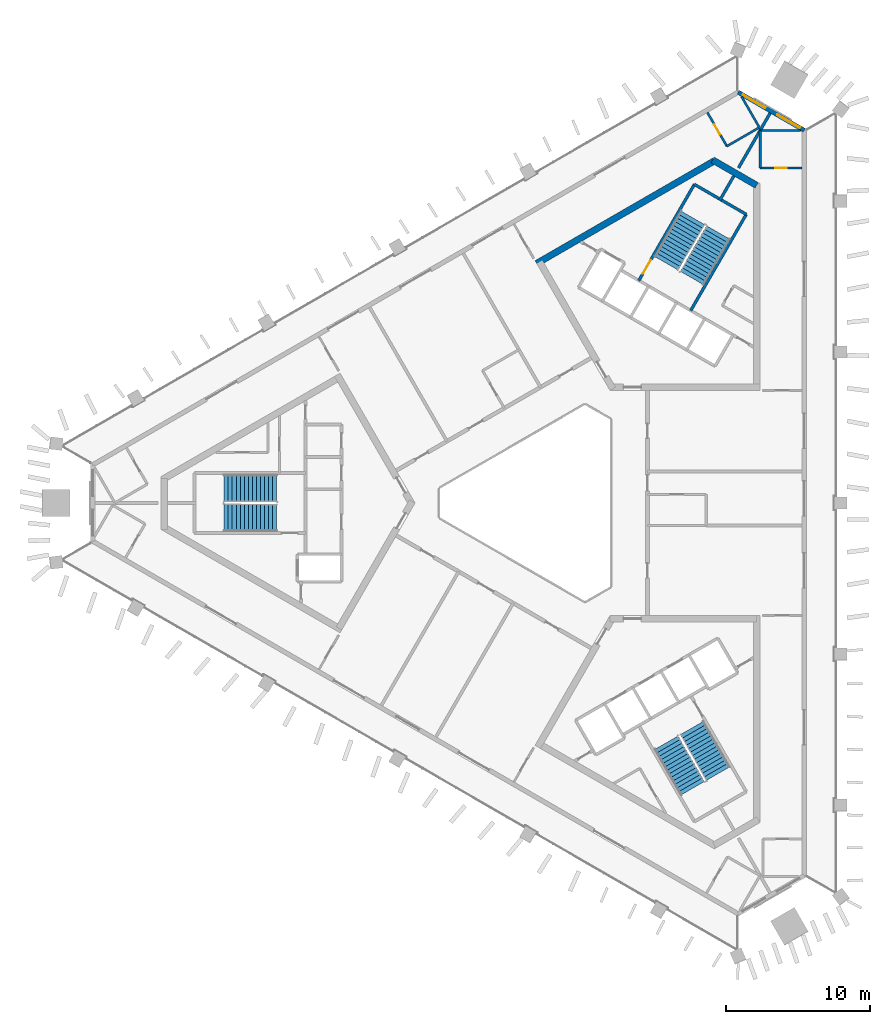
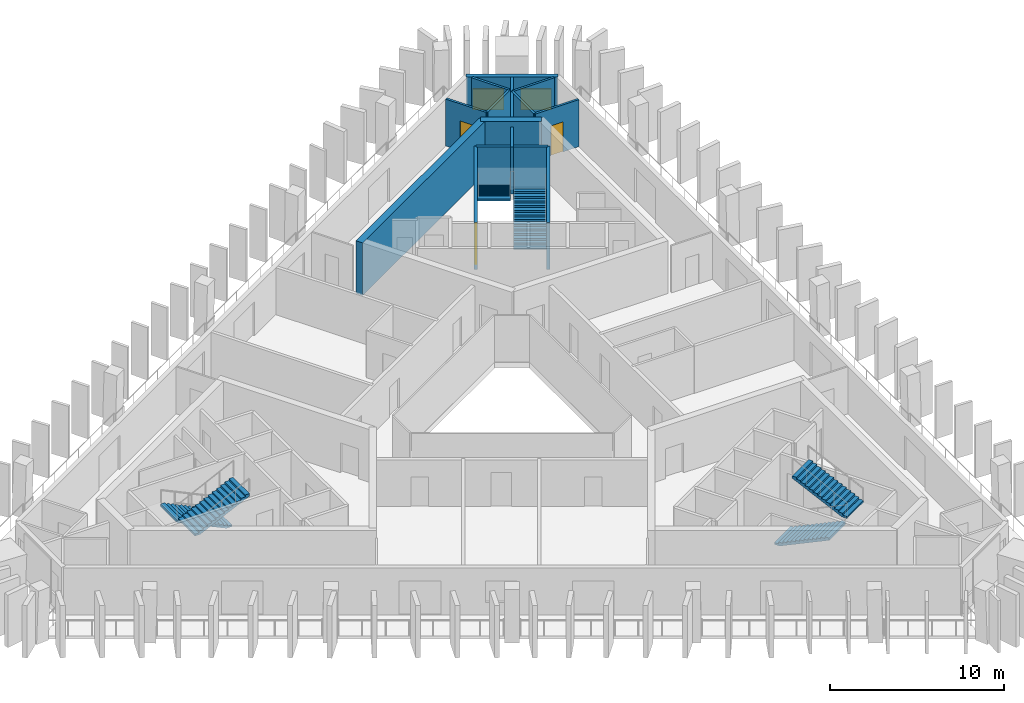
# One storey, part 6 of 9: 14 walls, 6 stair flights, 3 doors, 2 windows, 5 openings, 3 elements without a shape of their own.
"""IFC4 building model written with IfcOpenShell, lengths in metres."""

from ifc_helpers import new_model, si_unit, direction, frame, frame_2d, origin, place, context, subcontext, project, spatial, polyline, rectangle, outline, extrude, material, layer, layer_set, type_object, element, fill, aggregate, save


model = new_model("IFC4")

# Units and contexts
model_context = context("Model", 3, precision=1e-05, world=origin(), true_north=direction((0.0, 1.0)))
body_context = subcontext(model_context, "Body", "Model", "MODEL_VIEW")
ifc_project = project(units=[si_unit("LENGTHUNIT", "METRE"), si_unit("AREAUNIT", "SQUARE_METRE"), si_unit("VOLUMEUNIT", "CUBIC_METRE"), si_unit("PLANEANGLEUNIT", "RADIAN"), si_unit("MASSUNIT", "GRAM", prefix="KILO")], contexts=[model_context])

# Site, building, storey
site_placement = place(None, origin())
site = spatial("IfcSite", under=ifc_project, at=site_placement, CompositionType="ELEMENT")
building_placement = place(site_placement, origin())
building = spatial("IfcBuilding", under=site, at=building_placement, Name="Jabali Bay Hotel Tower and Convention Centre", CompositionType="ELEMENT")
storey_placement = place(building_placement, frame((0.0, 0.0, 205.800048828125)))
storey = spatial("IfcBuildingStorey", under=building, at=storey_placement, Name="L50", CompositionType="ELEMENT", Elevation=205.800048828125)

# Walls
ifc_material_1 = material(Name="Concrete C40", Category="concrete")
ifc_layer_1 = layer(ifc_material_1, 0.199951171875)
ifc_layer_set_1 = layer_set([ifc_layer_1], Name="Concrete C40")
wall_type_1 = type_object("IfcWallType", Name="Core partition wall 200", PredefinedType="PARTITIONING", material=ifc_layer_set_1)
wall_1_placement = place(storey_placement, frame((87.090087890625, 100.9404296875, 0.0), z_axis=(0.0, 0.0, 1.0), x_axis=(0.500011643316, 0.866018681408, 0.0)))
element("IfcWall", 1, at=wall_1_placement, inside=storey, type_object=wall_type_1, Name="Core wall 1.5 L50", PredefinedType="PARTITIONING", context=body_context, shape_type="SweptSolid", body=[
    extrude(rectangle(XDim=1.97314453125, YDim=0.199951171875, at=frame_2d((0.986572265625, 0.0))), origin(), (0.0, 0.0, 1.0), 3.300048828125),
])
ifc_layer_2 = layer(ifc_material_1, 0.199951171875)
ifc_layer_set_2 = layer_set([ifc_layer_2], Name="Concrete C40")
wall_type_2 = type_object("IfcWallType", Name="Core stair wall 200", PredefinedType="SOLIDWALL", material=ifc_layer_set_2)
wall_2_placement = place(storey_placement, frame((85.0869140625, 93.3212890625, 0.0), z_axis=(0.0, 0.0, 1.0), x_axis=(0.500019787375, 0.866013979237, 0.0)))
element("IfcWall", 2, at=wall_2_placement, inside=storey, type_object=wall_type_2, Name="Core wall 1.3 L50", PredefinedType="SOLIDWALL", context=body_context, shape_type="SweptSolid", body=[
    extrude(rectangle(XDim=7.699951171875, YDim=0.199951171875, at=frame_2d((3.85009765625, 0.0))), origin(), (0.0, 0.0, 1.0), 3.300048828125),
])

# Wall, opening, door
wall_3_placement = place(storey_placement, frame((81.492919921875, 95.396240234375, 0.0), z_axis=(0.0, 0.0, 1.0), x_axis=(0.500006057782, 0.866021906294, 0.0)))
wall_3 = element("IfcWall", 3, at=wall_3_placement, inside=storey, type_object=wall_type_2, Name="Core wall 1.7 L50", PredefinedType="SOLIDWALL", context=body_context, shape_type="SweptSolid", body=[
    extrude(rectangle(XDim=7.7001953125, YDim=0.199951171875, at=frame_2d((3.85009765625, 0.0))), origin(), (0.0, 0.0, 1.0), 3.300048828125),
])
opening_1_placement = place(wall_3_placement, frame((0.550048828125, 0.0, 0.0)))
opening_1 = element("IfcOpeningElement", 4, at=opening_1_placement, cuts=wall_3, Name="Opening D1087", PredefinedType="OPENING", context=body_context, shape_type="SweptSolid", body=[
    extrude(rectangle(XDim=1.10009765625, YDim=2.10009765625, at=frame_2d((0.550048828125, 1.050048828125))), frame((0.0, 0.1103515625, 0.0), z_axis=(0.0, -1.0, 0.0), x_axis=(1.0, 0.0, 0.0)), (0.0, 0.0, 1.0), 0.220947265625),
])
ifc_material_2 = material(Name="Fire-rated steel door", Category="steel")
door_type_1 = type_object("IfcDoorType", Name="Stair fire door 1100 x 2100", OperationType="NOTDEFINED", PredefinedType="NOTDEFINED", material=ifc_material_2)
door_1_placement = place(opening_1_placement, origin())
door_1 = element("IfcDoor", 5, at=door_1_placement, inside=storey, type_object=door_type_1, Name="Stair fire door D1087", OperationType="SINGLE_SWING_RIGHT", OverallHeight=2.10009765625, OverallWidth=1.10009765625, PredefinedType="NOTDEFINED", context=body_context, shape_type="SweptSolid", body=[
    extrude(rectangle(XDim=1.10009765625, YDim=2.10009765625, at=frame_2d((0.550048828125, 1.050048828125))), frame((0.0, 0.02490234375, 0.0), z_axis=(0.0, -1.0, 0.0), x_axis=(1.0, 0.0, 0.0)), (0.0, 0.0, 1.0), 0.050048828125),
])
fill(opening_1, door_1)

# Walls
wall_4_placement = place(storey_placement, frame((88.93701171875, 99.989501953125, 0.0), z_axis=(0.0, 0.0, 1.0), x_axis=(-0.866004344652, 0.500036473714, 0.0)))
element("IfcWall", 6, at=wall_4_placement, inside=storey, type_object=wall_type_2, Name="Core wall 1.16 L50", PredefinedType="SOLIDWALL", context=body_context, shape_type="SweptSolid", body=[
    extrude(rectangle(XDim=4.150146484375, YDim=0.199951171875, at=frame_2d((2.0751953125, 0.0))), origin(), (0.0, 0.0, 1.0), 3.300048828125),
])
ifc_material_3 = material(Name="Concrete C60", Category="concrete")
ifc_layer_3 = layer(ifc_material_3, 0.449951171875)
ifc_layer_set_3 = layer_set([ifc_layer_3], Name="Concrete C60")
wall_type_3 = type_object("IfcWallType", Name="Core wall 450", PredefinedType="SHEAR", material=ifc_layer_set_3)
wall_5_placement = place(storey_placement, frame((89.655029296875, 101.997802734375, 0.0), z_axis=(0.0, 0.0, 1.0), x_axis=(-0.866042179588, 0.49997094233, 0.0)))
element("IfcWall", 7, at=wall_5_placement, inside=storey, type_object=wall_type_3, Name="Core wall 2.3 L50", PredefinedType="SHEAR", context=body_context, shape_type="SweptSolid", body=[
    extrude(rectangle(XDim=3.515380859375, YDim=0.449951171875, at=frame_2d((1.7578125, 0.0))), origin(), (0.0, 0.0, 1.0), 3.699951171875),
])
wall_6_placement = place(storey_placement, frame((86.72314453125, 103.6904296875, 0.0), z_axis=(0.0, 0.0, 1.0), x_axis=(-0.866022713978, -0.500004658852, 0.0)))
element("IfcWall", 8, at=wall_6_placement, inside=storey, type_object=wall_type_3, Name="Core wall 2.4 L50", PredefinedType="SHEAR", context=body_context, shape_type="SweptSolid", body=[
    extrude(rectangle(XDim=14.203369140625, YDim=0.449951171875, at=frame_2d((7.1015625, 0.0))), origin(), (0.0, 0.0, 1.0), 3.699951171875),
])

# Wall, openings, windows
ifc_layer_4 = layer(ifc_material_1, 0.300048828125)
ifc_layer_set_4 = layer_set([ifc_layer_4], Name="Concrete C40")
wall_type_4 = type_object("IfcWallType", Name="External wall 300", PredefinedType="SOLIDWALL", material=ifc_layer_set_4)
wall_7_placement = place(storey_placement, frame((88.377197265625, 108.451171875, 0.0), z_axis=(0.0, 0.0, 1.0), x_axis=(0.866015446554, -0.500017246033, 0.0)))
wall_7 = element("IfcWall", 9, at=wall_7_placement, inside=storey, type_object=wall_type_4, Name="External wall north-east chamfer L50", PredefinedType="SOLIDWALL", context=body_context, shape_type="SweptSolid", body=[
    extrude(rectangle(XDim=5.281005859375, YDim=0.300048828125, at=frame_2d((2.640625, 0.0))), origin(), (0.0, 0.0, 1.0), 3.300048828125),
])
opening_2_placement = place(wall_7_placement, frame((3.125732421875, 0.0, 0.89990234375)))
opening_2 = element("IfcOpeningElement", 10, at=opening_2_placement, cuts=wall_7, Name="Opening W1", PredefinedType="OPENING", context=body_context, shape_type="SweptSolid", body=[
    extrude(rectangle(XDim=1.800048828125, YDim=1.5, at=frame_2d((0.89990234375, 0.75))), frame((0.0, 0.16064453125, 0.0), z_axis=(0.0, -1.0, 0.0), x_axis=(1.0, 0.0, 0.0)), (0.0, 0.0, 1.0), 0.321044921875),
])
opening_3_placement = place(wall_7_placement, frame((0.3720703125, 0.0, 0.89990234375)))
opening_3 = element("IfcOpeningElement", 11, at=opening_3_placement, cuts=wall_7, Name="Opening W1", PredefinedType="OPENING", context=body_context, shape_type="SweptSolid", body=[
    extrude(rectangle(XDim=1.800048828125, YDim=1.5, at=frame_2d((0.89990234375, 0.75))), frame((0.0, 0.16064453125, 0.0), z_axis=(0.0, -1.0, 0.0), x_axis=(1.0, 0.0, 0.0)), (0.0, 0.0, 1.0), 0.321044921875),
])
ifc_material_4 = material(Name="Glass", Category="glass")
window_type = type_object("IfcWindowType", Name="Window 1800 x 1500", PartitioningType="SINGLE_PANEL", PredefinedType="WINDOW", material=ifc_material_4)
window_1_placement = place(opening_2_placement, origin())
window_1 = element("IfcWindow", 12, at=window_1_placement, inside=storey, type_object=window_type, Name="Window 5003", OverallHeight=1.5, OverallWidth=1.800048828125, PartitioningType="SINGLE_PANEL", PredefinedType="WINDOW", context=body_context, shape_type="SweptSolid", body=[
    extrude(rectangle(XDim=1.800048828125, YDim=1.5, at=frame_2d((0.89990234375, 0.75))), frame((0.0, 0.030029296875, 0.0), z_axis=(0.0, -1.0, 0.0), x_axis=(1.0, 0.0, 0.0)), (0.0, 0.0, 1.0), 0.06005859375),
])
fill(opening_2, window_1)
window_2_placement = place(opening_3_placement, origin())
window_2 = element("IfcWindow", 13, at=window_2_placement, inside=storey, type_object=window_type, Name="Window 5004", OverallHeight=1.5, OverallWidth=1.800048828125, PartitioningType="SINGLE_PANEL", PredefinedType="WINDOW", context=body_context, shape_type="SweptSolid", body=[
    extrude(rectangle(XDim=1.800048828125, YDim=1.5, at=frame_2d((0.89990234375, 0.75))), frame((0.0, 0.030029296875, 0.0), z_axis=(0.0, -1.0, 0.0), x_axis=(1.0, 0.0, 0.0)), (0.0, 0.0, 1.0), 0.06005859375),
])
fill(opening_3, window_2)

# Wall, opening, door
ifc_material_5 = material(Name="Plasterboard on steel stud", Category="steel")
ifc_layer_5 = layer(ifc_material_5, 0.14990234375)
ifc_layer_set_5 = layer_set([ifc_layer_5], Name="Plasterboard on steel stud")
wall_type_5 = type_object("IfcWallType", Name="Partition 150 wet", PredefinedType="PARTITIONING", material=ifc_layer_set_5)
wall_8_placement = place(storey_placement, frame((92.801513671875, 103.1943359375, 0.0), z_axis=(0.0, 0.0, 1.0), x_axis=(-1.0, 0.0, 0.0)))
wall_8 = element("IfcWall", 14, at=wall_8_placement, inside=storey, type_object=wall_type_5, Name="Partition P03 L50 012", PredefinedType="PARTITIONING", context=body_context, shape_type="SweptSolid", body=[
    extrude(rectangle(XDim=2.89990234375, YDim=0.14990234375, at=frame_2d((1.449951171875, 0.0))), origin(), (0.0, 0.0, 1.0), 3.300048828125),
])
opening_4_placement = place(wall_8_placement, frame((1.050048828125, 0.0, 0.0)))
opening_4 = element("IfcOpeningElement", 15, at=opening_4_placement, cuts=wall_8, Name="Opening 5008", PredefinedType="OPENING", context=body_context, shape_type="SweptSolid", body=[
    extrude(rectangle(XDim=0.800048828125, YDim=2.10009765625, at=frame_2d((0.39990234375, 1.050048828125))), frame((0.0, 0.08544921875, 0.0), z_axis=(0.0, -1.0, 0.0), x_axis=(1.0, 0.0, 0.0)), (0.0, 0.0, 1.0), 0.1708984375),
])
ifc_material_6 = material(Name="Timber", Category="wood")
door_type_2 = type_object("IfcDoorType", Name="En-suite door 800 x 2100", OperationType="NOTDEFINED", PredefinedType="NOTDEFINED", material=ifc_material_6)
door_2_placement = place(opening_4_placement, origin())
door_2 = element("IfcDoor", 16, at=door_2_placement, inside=storey, type_object=door_type_2, Name="Door 5008", OperationType="SINGLE_SWING_LEFT", OverallHeight=2.10009765625, OverallWidth=0.800048828125, PredefinedType="NOTDEFINED", context=body_context, shape_type="SweptSolid", body=[
    extrude(rectangle(XDim=0.800048828125, YDim=2.10009765625, at=frame_2d((0.39990234375, 1.050048828125))), frame((0.0, 0.02490234375, 0.0), z_axis=(0.0, -1.0, 0.0), x_axis=(1.0, 0.0, 0.0)), (0.0, 0.0, 1.0), 0.050048828125),
])
fill(opening_4, door_2)

# Walls
wall_9_placement = place(storey_placement, frame((89.901611328125, 103.1943359375, 0.0), z_axis=(0.0, 0.0, 1.0), x_axis=(0.0, 1.0, 0.0)))
element("IfcWall", 17, at=wall_9_placement, inside=storey, type_object=wall_type_5, Name="Partition P03 L50 013", PredefinedType="PARTITIONING", context=body_context, shape_type="SweptSolid", body=[
    extrude(rectangle(XDim=2.599853515625, YDim=0.14990234375, at=frame_2d((1.2998046875, 0.0))), origin(), (0.0, 0.0, 1.0), 3.300048828125),
])
wall_10_placement = place(storey_placement, frame((89.901611328125, 105.794189453125, 0.0), z_axis=(0.0, 0.0, 1.0), x_axis=(1.0, 0.0, 0.0)))
element("IfcWall", 18, at=wall_10_placement, inside=storey, type_object=wall_type_5, Name="Partition P03 L50 014", PredefinedType="PARTITIONING", context=body_context, shape_type="SweptSolid", body=[
    extrude(rectangle(XDim=2.779541015625, YDim=0.14990234375, at=frame_2d((1.3896484375, 0.0))), origin(), (0.0, 0.0, 1.0), 3.300048828125),
])
wall_11_placement = place(storey_placement, frame((88.613037109375, 108.142822265625, 0.0), z_axis=(0.0, 0.0, 1.0), x_axis=(0.500028332303, -0.866009045504, 0.0)))
element("IfcWall", 19, at=wall_11_placement, inside=storey, type_object=wall_type_5, Name="Partition P03 L50 018", PredefinedType="PARTITIONING", context=body_context, shape_type="SweptSolid", body=[
    extrude(rectangle(XDim=2.464111328125, YDim=0.14990234375, at=frame_2d((1.23193359375, 0.0))), origin(), (0.0, 0.0, 1.0), 3.300048828125),
])
wall_12_placement = place(storey_placement, frame((89.84521484375, 106.0087890625, 0.0), z_axis=(0.0, 0.0, 1.0), x_axis=(-0.865997922154, -0.500047596559, 0.0)))
element("IfcWall", 20, at=wall_12_placement, inside=storey, type_object=wall_type_5, Name="Partition P03 L50 019", PredefinedType="PARTITIONING", context=body_context, shape_type="SweptSolid", body=[
    extrude(rectangle(XDim=2.599853515625, YDim=0.14990234375, at=frame_2d((1.2998046875, 0.0))), origin(), (0.0, 0.0, 1.0), 3.300048828125),
])

# Wall, opening, door
wall_13_placement = place(storey_placement, frame((87.59375, 104.708740234375, 0.0), z_axis=(0.0, 0.0, 1.0), x_axis=(-0.500077242023, 0.865980803489, 0.0)))
wall_13 = element("IfcWall", 21, at=wall_13_placement, inside=storey, type_object=wall_type_5, Name="Partition P03 L50 020", PredefinedType="PARTITIONING", context=body_context, shape_type="SweptSolid", body=[
    extrude(rectangle(XDim=2.7001953125, YDim=0.14990234375, at=frame_2d((1.35009765625, 0.0))), origin(), (0.0, 0.0, 1.0), 3.300048828125),
])
opening_5_placement = place(wall_13_placement, frame((0.949951171875, 0.0, 0.0)))
opening_5 = element("IfcOpeningElement", 22, at=opening_5_placement, cuts=wall_13, Name="Opening 5011", PredefinedType="OPENING", context=body_context, shape_type="SweptSolid", body=[
    extrude(rectangle(XDim=0.800048828125, YDim=2.10009765625, at=frame_2d((0.39990234375, 1.050048828125))), frame((0.0, 0.08544921875, 0.0), z_axis=(0.0, -1.0, 0.0), x_axis=(1.0, 0.0, 0.0)), (0.0, 0.0, 1.0), 0.1708984375),
])
door_3_placement = place(opening_5_placement, origin())
door_3 = element("IfcDoor", 23, at=door_3_placement, inside=storey, type_object=door_type_2, Name="Door 5011", OperationType="SINGLE_SWING_RIGHT", OverallHeight=2.10009765625, OverallWidth=0.800048828125, PredefinedType="NOTDEFINED", context=body_context, shape_type="SweptSolid", body=[
    extrude(rectangle(XDim=0.800048828125, YDim=2.10009765625, at=frame_2d((0.39990234375, 1.050048828125))), frame((0.0, 0.02490234375, 0.0), z_axis=(0.0, -1.0, 0.0), x_axis=(1.0, 0.0, 0.0)), (0.0, 0.0, 1.0), 0.050048828125),
])
fill(opening_5, door_3)

# Wall
ifc_layer_6 = layer(ifc_material_5, 0.199951171875)
ifc_layer_set_6 = layer_set([ifc_layer_6], Name="Plasterboard on steel stud")
wall_type_6 = type_object("IfcWallType", Name="Partition 200 party", PredefinedType="PARTITIONING", material=ifc_layer_set_6)
wall_14_placement = place(storey_placement, frame((90.589599609375, 107.001708984375, 0.0), z_axis=(0.0, 0.0, 1.0), x_axis=(-0.500002498361, -0.86602396135, 0.0)))
element("IfcWall", 24, at=wall_14_placement, inside=storey, type_object=wall_type_6, Name="Partition P01 L50 015", PredefinedType="PARTITIONING", context=body_context, shape_type="SweptSolid", body=[
    extrude(rectangle(XDim=4.376953125, YDim=0.199951171875, at=frame_2d((2.1884765625, 0.0))), origin(), (0.0, 0.0, 1.0), 3.300048828125),
])

# Stair, stair flights
stair_type = type_object("IfcStairType", Name="Exit stair 1900", PredefinedType="HALF_TURN_STAIR", material=ifc_material_1)
stair_1_placement = place(storey_placement, origin())
stair_1 = element("IfcStair", 25, at=stair_1_placement, inside=storey, type_object=stair_type, Name="L50 Exit Stair 1", PredefinedType="HALF_TURN_STAIR")
stair_flight_type = type_object("IfcStairFlightType", Name="Stair flight concrete 150", PredefinedType="STRAIGHT", material=ifc_material_1)
stair_flight_1_placement = place(storey_placement, frame((56.419921875, 81.02490234375, 0.0), z_axis=(0.0, 0.0, 1.0), x_axis=(-1.0, 0.0, 0.0)))
stair_flight_1 = element("IfcStairFlight", 26, at=stair_flight_1_placement, type_object=stair_flight_type, Name="ST1 flight 1", NumberOfRisers=14, NumberOfTreads=13, PredefinedType="STRAIGHT", RiserHeight=0.132142857, TreadLength=0.28, context=body_context, shape_type="SweptSolid", body=[
    extrude(outline(polyline([(0.0, 0.0), (0.0, 0.132080078125), (0.280029296875, 0.132080078125), (0.280029296875, 0.264404296875), (0.56005859375, 0.264404296875), (0.56005859375, 0.396484375), (0.840087890625, 0.396484375), (0.840087890625, 0.528564453125), (1.1201171875, 0.528564453125), (1.1201171875, 0.66064453125), (1.39990234375, 0.66064453125), (1.39990234375, 0.79296875), (1.679931640625, 0.79296875), (1.679931640625, 0.925048828125), (1.9599609375, 0.925048828125), (1.9599609375, 1.05712890625), (2.239990234375, 1.05712890625), (2.239990234375, 1.189208984375), (2.52001953125, 1.189208984375), (2.52001953125, 1.321533203125), (2.800048828125, 1.321533203125), (2.800048828125, 1.45361328125), (3.080078125, 1.45361328125), (3.080078125, 1.585693359375), (3.360107421875, 1.585693359375), (3.360107421875, 1.7177734375), (3.639892578125, 1.7177734375), (3.639892578125, 1.85009765625), (3.639892578125, 1.552001953125), (0.351318359375, 0.0), (0.0, 0.0)])), frame((0.0, 0.949951171875, 0.0), z_axis=(0.0, -1.0, 0.0), x_axis=(1.0, 0.0, 0.0)), (0.0, 0.0, 1.0), 1.89990234375),
])
stair_flight_2_placement = place(storey_placement, frame((52.780029296875, 78.97509765625, 1.849853515625), z_axis=(0.0, 0.0, 1.0), x_axis=(1.0, 0.0, 0.0)))
stair_flight_2 = element("IfcStairFlight", 27, at=stair_flight_2_placement, type_object=stair_flight_type, Name="ST1 flight 2", NumberOfRisers=14, NumberOfTreads=13, PredefinedType="STRAIGHT", RiserHeight=0.132142857, TreadLength=0.28, context=body_context, shape_type="SweptSolid", body=[
    extrude(outline(polyline([(0.0, 0.0), (0.0, 0.132080078125), (0.280029296875, 0.132080078125), (0.280029296875, 0.264404296875), (0.56005859375, 0.264404296875), (0.56005859375, 0.396484375), (0.840087890625, 0.396484375), (0.840087890625, 0.528564453125), (1.1201171875, 0.528564453125), (1.1201171875, 0.66064453125), (1.39990234375, 0.66064453125), (1.39990234375, 0.79296875), (1.679931640625, 0.79296875), (1.679931640625, 0.925048828125), (1.9599609375, 0.925048828125), (1.9599609375, 1.05712890625), (2.239990234375, 1.05712890625), (2.239990234375, 1.189208984375), (2.52001953125, 1.189208984375), (2.52001953125, 1.321533203125), (2.800048828125, 1.321533203125), (2.800048828125, 1.45361328125), (3.080078125, 1.45361328125), (3.080078125, 1.585693359375), (3.360107421875, 1.585693359375), (3.360107421875, 1.7177734375), (3.639892578125, 1.7177734375), (3.639892578125, 1.85009765625), (3.639892578125, 1.552001953125), (0.351318359375, 0.0), (0.0, 0.0)])), frame((0.0, 0.949951171875, 0.0), z_axis=(0.0, -1.0, 0.0), x_axis=(1.0, 0.0, 0.0)), (0.0, 0.0, 1.0), 1.89990234375),
])
aggregate(stair_1, [stair_flight_1, stair_flight_2])

stair_2_placement = place(storey_placement, origin())
stair_2 = element("IfcStair", 28, at=stair_2_placement, inside=storey, type_object=stair_type, Name="L50 Exit Stair 2", PredefinedType="HALF_TURN_STAIR")
stair_flight_3_placement = place(storey_placement, frame((85.177734375, 95.578369140625, 0.0), z_axis=(0.0, 0.0, 1.0), x_axis=(0.5, 0.866025403784, 0.0)))
stair_flight_3 = element("IfcStairFlight", 29, at=stair_flight_3_placement, type_object=stair_flight_type, Name="ST2 flight 1", NumberOfRisers=14, NumberOfTreads=13, PredefinedType="STRAIGHT", RiserHeight=0.132142857, TreadLength=0.28, context=body_context, shape_type="SweptSolid", body=[
    extrude(outline(polyline([(0.0, 0.0), (0.0, 0.132080078125), (0.280029296875, 0.132080078125), (0.280029296875, 0.264404296875), (0.56005859375, 0.264404296875), (0.56005859375, 0.396484375), (0.840087890625, 0.396484375), (0.840087890625, 0.528564453125), (1.1201171875, 0.528564453125), (1.1201171875, 0.66064453125), (1.39990234375, 0.66064453125), (1.39990234375, 0.79296875), (1.679931640625, 0.79296875), (1.679931640625, 0.925048828125), (1.9599609375, 0.925048828125), (1.9599609375, 1.05712890625), (2.239990234375, 1.05712890625), (2.239990234375, 1.189208984375), (2.52001953125, 1.189208984375), (2.52001953125, 1.321533203125), (2.800048828125, 1.321533203125), (2.800048828125, 1.45361328125), (3.080078125, 1.45361328125), (3.080078125, 1.585693359375), (3.360107421875, 1.585693359375), (3.360107421875, 1.7177734375), (3.639892578125, 1.7177734375), (3.639892578125, 1.85009765625), (3.639892578125, 1.552001953125), (0.351318359375, 0.0), (0.0, 0.0)])), frame((0.0, 0.949951171875, 0.0), z_axis=(0.0, -1.0, 0.0), x_axis=(1.0, 0.0, 0.0)), (0.0, 0.0, 1.0), 1.89990234375),
])
stair_flight_4_placement = place(storey_placement, frame((85.222412109375, 99.755615234375, 1.849853515625), z_axis=(0.0, 0.0, 1.0), x_axis=(-0.5, -0.866025403784, 0.0)))
stair_flight_4 = element("IfcStairFlight", 30, at=stair_flight_4_placement, type_object=stair_flight_type, Name="ST2 flight 2", NumberOfRisers=14, NumberOfTreads=13, PredefinedType="STRAIGHT", RiserHeight=0.132142857, TreadLength=0.28, context=body_context, shape_type="SweptSolid", body=[
    extrude(outline(polyline([(0.0, 0.0), (0.0, 0.132080078125), (0.280029296875, 0.132080078125), (0.280029296875, 0.264404296875), (0.56005859375, 0.264404296875), (0.56005859375, 0.396484375), (0.840087890625, 0.396484375), (0.840087890625, 0.528564453125), (1.1201171875, 0.528564453125), (1.1201171875, 0.66064453125), (1.39990234375, 0.66064453125), (1.39990234375, 0.79296875), (1.679931640625, 0.79296875), (1.679931640625, 0.925048828125), (1.9599609375, 0.925048828125), (1.9599609375, 1.05712890625), (2.239990234375, 1.05712890625), (2.239990234375, 1.189208984375), (2.52001953125, 1.189208984375), (2.52001953125, 1.321533203125), (2.800048828125, 1.321533203125), (2.800048828125, 1.45361328125), (3.080078125, 1.45361328125), (3.080078125, 1.585693359375), (3.360107421875, 1.585693359375), (3.360107421875, 1.7177734375), (3.639892578125, 1.7177734375), (3.639892578125, 1.85009765625), (3.639892578125, 1.552001953125), (0.351318359375, 0.0), (0.0, 0.0)])), frame((0.0, 0.949951171875, 0.0), z_axis=(0.0, -1.0, 0.0), x_axis=(1.0, 0.0, 0.0)), (0.0, 0.0, 1.0), 1.89990234375),
])
aggregate(stair_2, [stair_flight_3, stair_flight_4])

stair_3_placement = place(storey_placement, origin())
stair_3 = element("IfcStair", 31, at=stair_3_placement, inside=storey, type_object=stair_type, Name="L50 Exit Stair 3", PredefinedType="HALF_TURN_STAIR")
stair_flight_5_placement = place(storey_placement, frame((83.40234375, 63.396728515625, 0.0), z_axis=(0.0, 0.0, 1.0), x_axis=(0.5, -0.866025403784, 0.0)))
stair_flight_5 = element("IfcStairFlight", 32, at=stair_flight_5_placement, type_object=stair_flight_type, Name="ST3 flight 1", NumberOfRisers=14, NumberOfTreads=13, PredefinedType="STRAIGHT", RiserHeight=0.132142857, TreadLength=0.28, context=body_context, shape_type="SweptSolid", body=[
    extrude(outline(polyline([(0.0, 0.0), (0.0, 0.132080078125), (0.280029296875, 0.132080078125), (0.280029296875, 0.264404296875), (0.56005859375, 0.264404296875), (0.56005859375, 0.396484375), (0.840087890625, 0.396484375), (0.840087890625, 0.528564453125), (1.1201171875, 0.528564453125), (1.1201171875, 0.66064453125), (1.39990234375, 0.66064453125), (1.39990234375, 0.79296875), (1.679931640625, 0.79296875), (1.679931640625, 0.925048828125), (1.9599609375, 0.925048828125), (1.9599609375, 1.05712890625), (2.239990234375, 1.05712890625), (2.239990234375, 1.189208984375), (2.52001953125, 1.189208984375), (2.52001953125, 1.321533203125), (2.800048828125, 1.321533203125), (2.800048828125, 1.45361328125), (3.080078125, 1.45361328125), (3.080078125, 1.585693359375), (3.360107421875, 1.585693359375), (3.360107421875, 1.7177734375), (3.639892578125, 1.7177734375), (3.639892578125, 1.85009765625), (3.639892578125, 1.552001953125), (0.351318359375, 0.0), (0.0, 0.0)])), frame((0.0, 0.949951171875, 0.0), z_axis=(0.0, -1.0, 0.0), x_axis=(1.0, 0.0, 0.0)), (0.0, 0.0, 1.0), 1.89990234375),
])
stair_flight_6_placement = place(storey_placement, frame((86.99755859375, 61.26953125, 1.849853515625), z_axis=(0.0, 0.0, 1.0), x_axis=(-0.5, 0.866025403784, 0.0)))
stair_flight_6 = element("IfcStairFlight", 33, at=stair_flight_6_placement, type_object=stair_flight_type, Name="ST3 flight 2", NumberOfRisers=14, NumberOfTreads=13, PredefinedType="STRAIGHT", RiserHeight=0.132142857, TreadLength=0.28, context=body_context, shape_type="SweptSolid", body=[
    extrude(outline(polyline([(0.0, 0.0), (0.0, 0.132080078125), (0.280029296875, 0.132080078125), (0.280029296875, 0.264404296875), (0.56005859375, 0.264404296875), (0.56005859375, 0.396484375), (0.840087890625, 0.396484375), (0.840087890625, 0.528564453125), (1.1201171875, 0.528564453125), (1.1201171875, 0.66064453125), (1.39990234375, 0.66064453125), (1.39990234375, 0.79296875), (1.679931640625, 0.79296875), (1.679931640625, 0.925048828125), (1.9599609375, 0.925048828125), (1.9599609375, 1.05712890625), (2.239990234375, 1.05712890625), (2.239990234375, 1.189208984375), (2.52001953125, 1.189208984375), (2.52001953125, 1.321533203125), (2.800048828125, 1.321533203125), (2.800048828125, 1.45361328125), (3.080078125, 1.45361328125), (3.080078125, 1.585693359375), (3.360107421875, 1.585693359375), (3.360107421875, 1.7177734375), (3.639892578125, 1.7177734375), (3.639892578125, 1.85009765625), (3.639892578125, 1.552001953125), (0.351318359375, 0.0), (0.0, 0.0)])), frame((0.0, 0.949951171875, 0.0), z_axis=(0.0, -1.0, 0.0), x_axis=(1.0, 0.0, 0.0)), (0.0, 0.0, 1.0), 1.89990234375),
])
aggregate(stair_3, [stair_flight_5, stair_flight_6])

save(model, "model.ifc")
